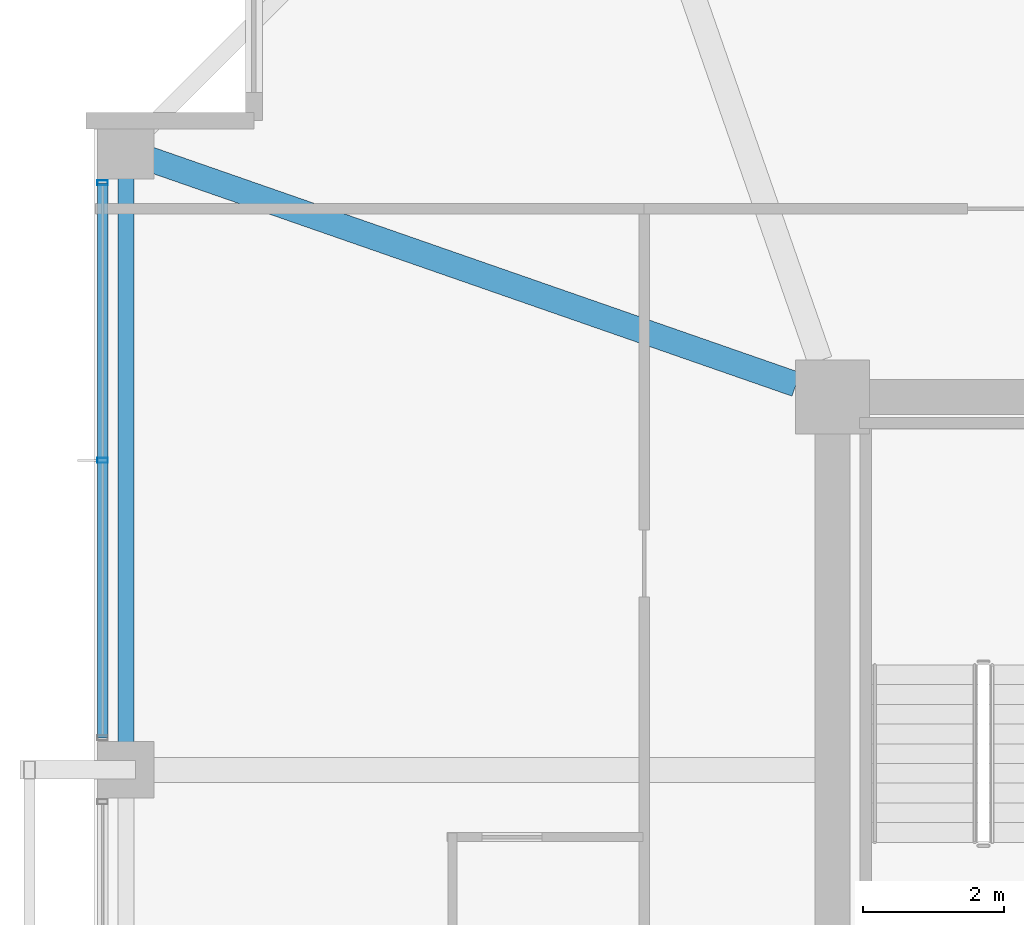
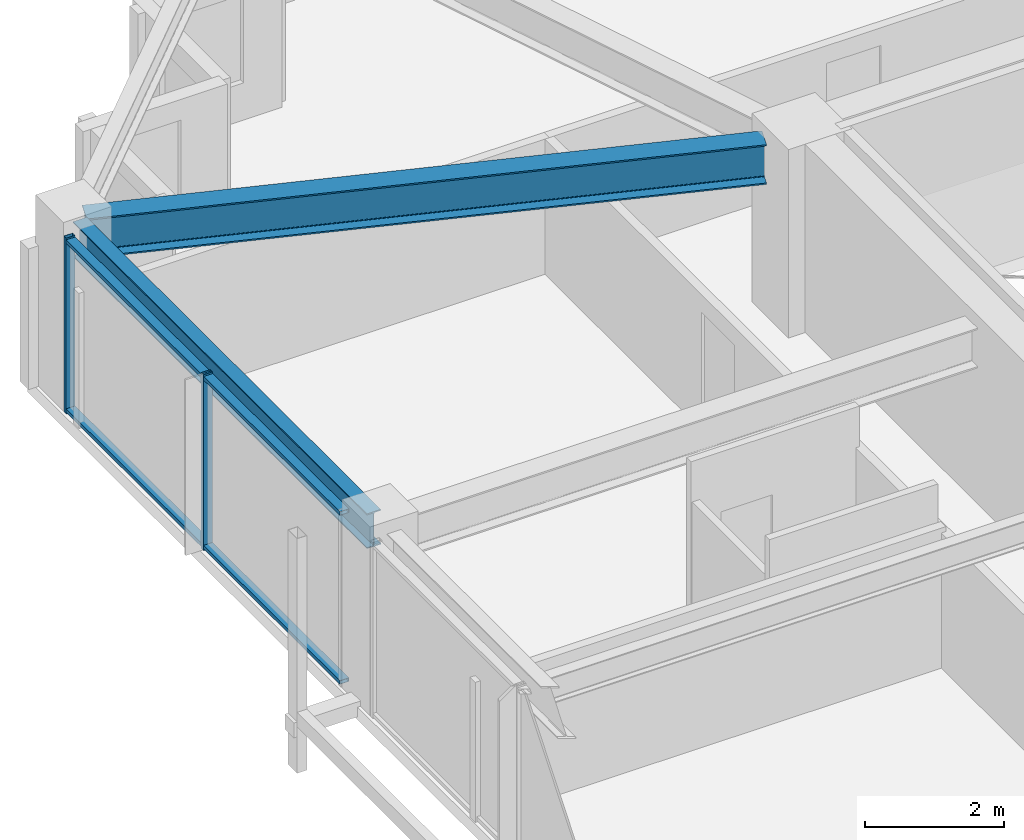
# One storey, part 17 of 38: 4 members, 2 beams, 1 element without a shape of its own.
"""IFC4 building model written with IfcOpenShell, lengths in metres."""

from ifc_helpers import new_model, si_unit, direction, frame, origin, origin_2d, place, context, subcontext, project, spatial, hollow_rectangle, i_section, extrude, material, material_profile, profile_set, type_object, element, aggregate, save


model = new_model("IFC4")

# Units and contexts
model_context = context("Model", 3, precision=1e-05, world=origin(), true_north=direction((0.0, 1.0)))
body_context = subcontext(model_context, "Body", "Model", "MODEL_VIEW")
ifc_project = project(units=[si_unit("LENGTHUNIT", "METRE"), si_unit("AREAUNIT", "SQUARE_METRE"), si_unit("VOLUMEUNIT", "CUBIC_METRE"), si_unit("PLANEANGLEUNIT", "RADIAN"), si_unit("MASSUNIT", "GRAM", prefix="KILO")], contexts=[model_context])

# Site, building, storey
site_placement = place(None, origin())
site = spatial("IfcSite", under=ifc_project, at=site_placement, CompositionType="ELEMENT")
building_placement = place(site_placement, origin())
building = spatial("IfcBuilding", under=site, at=building_placement, Name="Kolvaren Belvedere", CompositionType="ELEMENT")
storey_placement = place(building_placement, frame((0.0, 0.0, 206.39990234375)))
storey = spatial("IfcBuildingStorey", under=building, at=storey_placement, Name="L60", CompositionType="ELEMENT", Elevation=206.39990234375)

# Beams
ifc_material_1 = material(Name="Structural steel ASTM A992 Grade 50", Category="steel")
ifc_material_profile_1 = material_profile(ifc_material_1, i_section(OverallWidth=0.35498046875, OverallDepth=0.696044921875, WebThickness=0.015380859375, FlangeThickness=0.02490234375, FilletRadius=0.02197265625, at=origin_2d()), Name="W27X146")
ifc_profile_set_1 = profile_set([ifc_material_profile_1], Name="Structural steel ASTM A992 Grade 50")
beam_type_1 = type_object("IfcBeamType", Name="BM-GIRD-W27X146", PredefinedType="BEAM", material=ifc_profile_set_1)
beam_1_placement = place(storey_placement, frame((-10.41943359375, 10.080810546875, 2.732177734375), z_axis=(-0.944365399758, 0.328898147971, 0.0), x_axis=(-0.328898147971, -0.944365399758, 0.0)))
element("IfcBeam", 1, at=beam_1_placement, inside=storey, type_object=beam_type_1, Name="L60 Corner Core-to-Perimeter Girder CC4-W4", PredefinedType="BEAM", context=body_context, shape_type="SweptSolid", body=[
    extrude(i_section(OverallWidth=0.35498046875, OverallDepth=0.696044921875, WebThickness=0.015380859375, FlangeThickness=0.02490234375, FilletRadius=0.02197265625, at=origin_2d()), origin(), (0.0, 0.0, 1.0), 9.931884765625),
])
ifc_material_2 = material(Name="Structural steel ASTM A992 Grade 50", Category="steel")
ifc_material_profile_2 = material_profile(ifc_material_2, i_section(OverallWidth=0.22900390625, OverallDepth=0.612060546875, WebThickness=0.011962890625, FlangeThickness=0.01953125, FilletRadius=0.01806640625, at=origin_2d()), Name="W24X84")
ifc_profile_set_2 = profile_set([ifc_material_profile_2], Name="Structural steel ASTM A992 Grade 50")
beam_type_2 = type_object("IfcBeamType", Name="BM-SPAN-W24X84", PredefinedType="SPANDREL", material=ifc_profile_set_2)
beam_2_placement = place(storey_placement, frame((-19.949951171875, 13.219970703125, 2.774169921875), z_axis=(0.0, -1.0, 0.0), x_axis=(1.0, 0.0, 0.0)))
element("IfcBeam", 2, at=beam_2_placement, inside=storey, type_object=beam_type_2, Name="L60 Perimeter Spandrel W4-W3", PredefinedType="SPANDREL", context=body_context, shape_type="SweptSolid", body=[
    extrude(i_section(OverallWidth=0.22900390625, OverallDepth=0.612060546875, WebThickness=0.011962890625, FlangeThickness=0.01953125, FilletRadius=0.01806640625, at=origin_2d()), origin(), (0.0, 0.0, 1.0), 8.43994140625),
])

# Curtain wall, members
ifc_material_3 = material(Name="Anodised pale-metal aluminium AA 6063-T6", Category="aluminium")
curtain_wall_type = type_object("IfcCurtainWallType", Name="CW-Z5-HIGH", PredefinedType="NOTDEFINED", material=ifc_material_3)
curtain_wall_placement = place(storey_placement, origin())
curtain_wall = element("IfcCurtainWall", 3, at=curtain_wall_placement, inside=storey, type_object=curtain_wall_type, Name="L60 Unitised Curtain Wall FCW-L60-W-B3", PredefinedType="NOTDEFINED")
ifc_material_4 = material(Name="Anodised pale-metal aluminium AA 6063-T6", Category="aluminium")
ifc_material_profile_3 = material_profile(ifc_material_4, hollow_rectangle(XDim=0.070068359375, YDim=0.14990234375, WallThickness=0.004150390625, at=origin_2d()), Name="ALU-MUL-150X70")
ifc_profile_set_3 = profile_set([ifc_material_profile_3], Name="Anodised pale-metal aluminium AA 6063-T6")
member_type_1 = type_object("IfcMemberType", Name="CW-MUL-150", PredefinedType="MULLION", material=ifc_profile_set_3)
member_1_placement = place(storey_placement, frame((-20.280029296875, 9.0, 0.0), z_axis=(0.0, 0.0, 1.0), x_axis=(0.0, 1.0, 0.0)))
member_1 = element("IfcMember", 4, at=member_1_placement, type_object=member_type_1, Name="FCW-L60-W-B3 Unitised Mullion 2", PredefinedType="MULLION", context=body_context, shape_type="SweptSolid", body=[
    extrude(hollow_rectangle(XDim=0.070068359375, YDim=0.14990234375, WallThickness=0.004150390625, at=origin_2d()), origin(), (0.0, 0.0, 1.0), 3.080078125),
])
member_2_placement = place(storey_placement, frame((-20.280029296875, 12.945068359375, 0.0), z_axis=(0.0, 0.0, 1.0), x_axis=(0.0, 1.0, 0.0)))
member_2 = element("IfcMember", 5, at=member_2_placement, type_object=member_type_1, Name="FCW-L60-W-B3 Unitised Mullion 3", PredefinedType="MULLION", context=body_context, shape_type="SweptSolid", body=[
    extrude(hollow_rectangle(XDim=0.070068359375, YDim=0.14990234375, WallThickness=0.004150390625, at=origin_2d()), origin(), (0.0, 0.0, 1.0), 3.080078125),
])
ifc_material_5 = material(Name="Anodised pale-metal aluminium AA 6063-T6", Category="aluminium")
ifc_material_profile_4 = material_profile(ifc_material_5, hollow_rectangle(XDim=0.06494140625, YDim=0.14990234375, WallThickness=0.00390625, at=origin_2d()), Name="ALU-TRN-150X65")
ifc_profile_set_4 = profile_set([ifc_material_profile_4], Name="Anodised pale-metal aluminium AA 6063-T6")
member_type_2 = type_object("IfcMemberType", Name="CW-TRN-150", PredefinedType="USERDEFINED", material=ifc_profile_set_4)
member_3_placement = place(storey_placement, frame((-20.280029296875, 5.054931640625, 0.06005859375), z_axis=(0.0, 1.0, 0.0), x_axis=(0.0, 0.0, 1.0)))
member_3 = element("IfcMember", 6, at=member_3_placement, type_object=member_type_2, Name="FCW-L60-W-B3 Sill Transom", ObjectType="TRANSOM", PredefinedType="USERDEFINED", context=body_context, shape_type="SweptSolid", body=[
    extrude(hollow_rectangle(XDim=0.06494140625, YDim=0.14990234375, WallThickness=0.00390625, at=origin_2d()), origin(), (0.0, 0.0, 1.0), 7.89013671875),
])
member_4_placement = place(storey_placement, frame((-20.280029296875, 5.054931640625, 3.02001953125), z_axis=(0.0, 1.0, 0.0), x_axis=(0.0, 0.0, 1.0)))
member_4 = element("IfcMember", 7, at=member_4_placement, type_object=member_type_2, Name="FCW-L60-W-B3 Head Transom", ObjectType="TRANSOM", PredefinedType="USERDEFINED", context=body_context, shape_type="SweptSolid", body=[
    extrude(hollow_rectangle(XDim=0.06494140625, YDim=0.14990234375, WallThickness=0.00390625, at=origin_2d()), origin(), (0.0, 0.0, 1.0), 7.89013671875),
])
aggregate(curtain_wall, [member_1, member_2, member_3, member_4])

save(model, "model.ifc")
